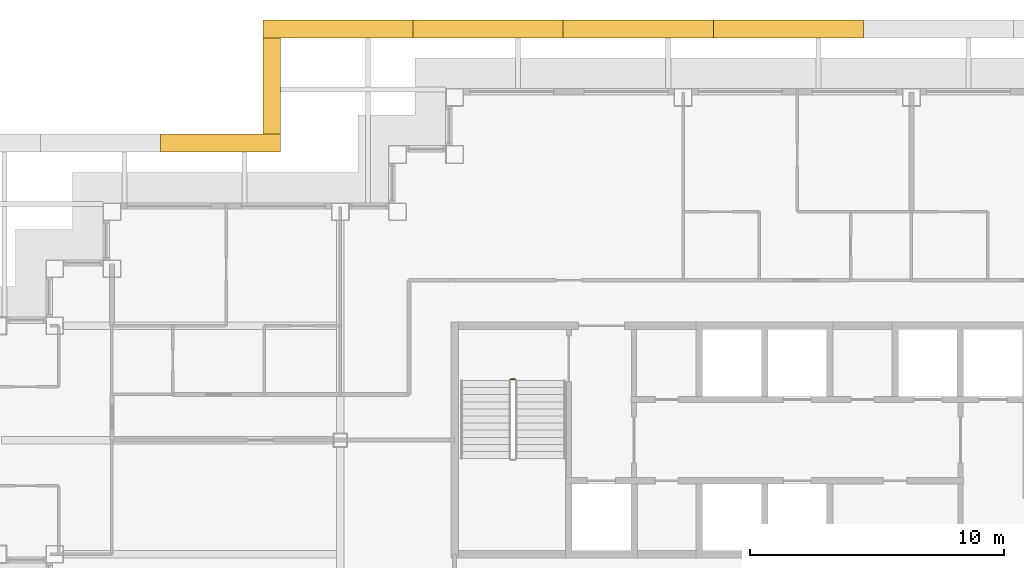
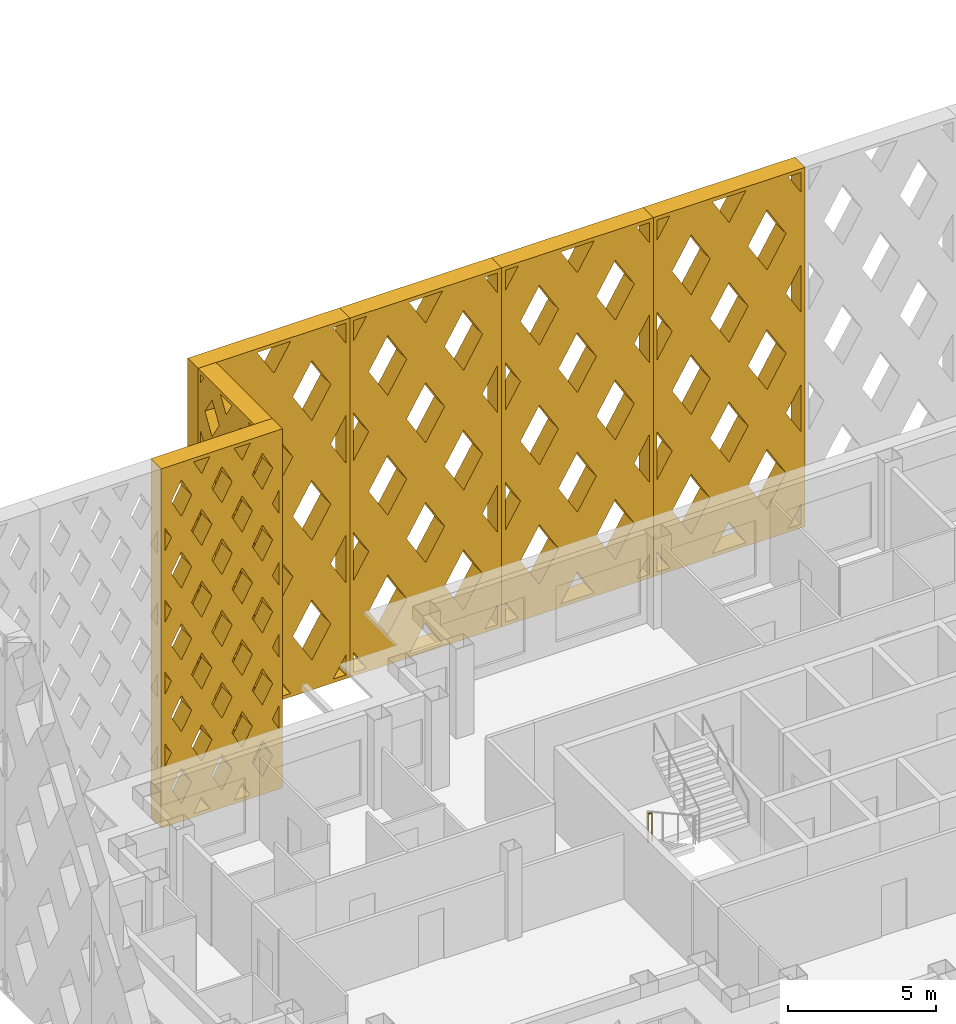
# One storey, part 16 of 17: 6 shading devices, 1 railing.
"""IFC4 building model written with IfcOpenShell, lengths in metres."""

import ifcopenshell
import ifcopenshell.guid

model = None  # the IFC model being written
_history = None  # IfcOwnerHistory: only IFC2X3 demands one
_inside = {}  # id of a spatial element -> (the spatial element, [elements in it])
_under = {}  # id of a project, library or spatial element -> (it, [spatial elements below it])
_declared = {}  # id of a project -> (the project, [libraries it declares])
_typed = {}  # id of a type object -> (the type object, [elements of that type])
_made_of = {}  # id of a material, layer set ... -> (it, [elements and type objects made of it])


def new_model(schema):
    """Start an empty IFC model of exactly this schema.

    Asked for "IFC4X3", IfcOpenShell would pick the latest addendum, in which some entities
    have other attributes; the version numbers below select the first issue.
    IFC2X3 requires an IfcOwnerHistory on every rooted entity: one is made here for all.
    """
    global model, _history
    if schema == "IFC4X3":
        model = ifcopenshell.file(schema_version=(4, 3, 0, 0))
    else:
        model = ifcopenshell.file(schema=schema)
    _inside.clear()
    _under.clear()
    _declared.clear()
    _typed.clear()
    _made_of.clear()
    _history = None
    if model.schema == "IFC2X3":
        org = make("IfcOrganization", Name="unknown")
        user = make(
            "IfcPersonAndOrganization",
            ThePerson=make("IfcPerson", FamilyName="unknown"),
            TheOrganization=org,
        )
        app = make(
            "IfcApplication",
            ApplicationDeveloper=org,
            Version="unknown",
            ApplicationFullName="unknown",
            ApplicationIdentifier="unknown",
        )
        _history = make(
            "IfcOwnerHistory",
            OwningUser=user,
            OwningApplication=app,
            ChangeAction="ADDED",
            CreationDate=0,
        )
    return model


def make(cls, **values):
    """One entity of the class cls with the attributes given. An attribute that is None is left unset."""
    return model.create_entity(
        cls, **{name: value for name, value in values.items() if value is not None}
    )


def rooted(cls, **values):
    """An entity with a GlobalId (a new one), such as an element, a storey or a relation."""
    return make(cls, GlobalId=ifcopenshell.guid.new(), OwnerHistory=_history, **values)


def si_unit(unit_type, name, prefix=None):
    """IfcSIUnit, for example si_unit("LENGTHUNIT", "METRE", prefix="MILLI")."""
    return make("IfcSIUnit", UnitType=unit_type, Prefix=prefix, Name=name)


def assignment(units):
    """IfcUnitAssignment: the units of a project."""
    return None if units is None else make("IfcUnitAssignment", Units=units)


def point(xyz):
    """IfcCartesianPoint."""
    return None if xyz is None else make("IfcCartesianPoint", Coordinates=xyz)


def direction(xyz):
    """IfcDirection."""
    return None if xyz is None else make("IfcDirection", DirectionRatios=xyz)


def frame(location, z_axis=None, x_axis=None):
    """IfcAxis2Placement3D, a coordinate frame: its origin and axes. An axis left out is left unset."""
    return make(
        "IfcAxis2Placement3D",
        Location=point(location),
        Axis=direction(z_axis),
        RefDirection=direction(x_axis),
    )


def frame_2d(location, x_axis=None):
    """IfcAxis2Placement2D, a coordinate frame in the plane: its origin and x axis."""
    return make(
        "IfcAxis2Placement2D", Location=point(location), RefDirection=direction(x_axis)
    )


def origin():
    """The frame at (0, 0, 0) with its axes left unset."""
    return frame((0.0, 0.0, 0.0))


def origin_2d():
    """The frame at (0, 0) in the plane with its x axis left unset."""
    return frame_2d((0.0, 0.0))


def place(relative_to, where):
    """IfcLocalPlacement: puts the frame where relative to a parent placement (None: the world)."""
    return make(
        "IfcLocalPlacement", PlacementRelTo=relative_to, RelativePlacement=where
    )


def context(
    kind, dimensions, precision=None, world=None, true_north=None, identifier=None
):
    """IfcGeometricRepresentationContext, for example the 3D "Model" context."""
    return make(
        "IfcGeometricRepresentationContext",
        ContextIdentifier=identifier,
        ContextType=kind,
        CoordinateSpaceDimension=dimensions,
        Precision=precision,
        WorldCoordinateSystem=world,
        TrueNorth=true_north,
    )


def subcontext(parent, identifier, kind, view, scale=None):
    """IfcGeometricRepresentationSubContext, for example "Body" below "Model"."""
    return make(
        "IfcGeometricRepresentationSubContext",
        ContextIdentifier=identifier,
        ContextType=kind,
        ParentContext=parent,
        TargetScale=scale,
        TargetView=view,
    )


def project(units=None, contexts=None):
    """IfcProject with its units and contexts."""
    return rooted(
        "IfcProject",
        Name="project",
        RepresentationContexts=contexts,
        UnitsInContext=assignment(units),
    )


def spatial(cls, under=None, at=None, **own):
    """A site, building, storey or space (cls), placed at a placement, below another one or the project."""
    s = rooted(cls, ObjectPlacement=at, **own)
    if under is not None:
        _under.setdefault(under.id(), (under, []))[1].append(s)
    return s


def polyline(points):
    """IfcPolyline through the points."""
    return make("IfcPolyline", Points=[point(p) for p in points])


def profile(cls, at=None, kind="AREA", **sizes):
    """A parametric profile (cls). Its sizes go by their IFC names, for example OverallWidth=200.0."""
    return make(cls, ProfileType=kind, Position=at, **sizes)


def circle(**sizes):
    """IfcCircleProfileDef."""
    return profile("IfcCircleProfileDef", **sizes)


def outline(outer, holes=None, kind="AREA"):
    """IfcArbitraryClosedProfileDef: a profile drawn as a closed curve; with holes, ...WithVoids."""
    if holes is None:
        return make("IfcArbitraryClosedProfileDef", ProfileType=kind, OuterCurve=outer)
    return make(
        "IfcArbitraryProfileDefWithVoids",
        ProfileType=kind,
        OuterCurve=outer,
        InnerCurves=holes,
    )


def extrude(swept, where, along, depth):
    """IfcExtrudedAreaSolid: the profile swept, set in the frame where, extruded along a direction by depth."""
    return make(
        "IfcExtrudedAreaSolid",
        SweptArea=swept,
        Position=where,
        ExtrudedDirection=direction(along),
        Depth=depth,
    )


def shape(context_of_items, identifier, shape_type, items):
    """IfcShapeRepresentation: the items that make up one representation, for example the "Body"."""
    return make(
        "IfcShapeRepresentation",
        ContextOfItems=context_of_items,
        RepresentationIdentifier=identifier,
        RepresentationType=shape_type,
        Items=items,
    )


def material(Name=None, Category=None):
    """IfcMaterial."""
    return make("IfcMaterial", Name=Name, Category=Category)


def made_of(thing, what):
    """Note that an element or type object is made of a material, layer set ...; save() writes the relation."""
    if what is not None:
        _made_of.setdefault(what.id(), (what, []))[1].append(thing)
    return thing


def type_object(cls, material=None, **own):
    """A type object (cls), such as IfcWallType, which elements share."""
    return made_of(rooted(cls, **own), material)


def element(
    cls,
    number,
    at=None,
    inside=None,
    cuts=None,
    type_object=None,
    material=None,
    context=None,
    identifier="Body",
    shape_type=None,
    held_by="IfcProductDefinitionShape",
    body=None,
    shapes=None,
    **own,
):
    """One element of the class cls, such as IfcWall. Its Tag is "e" and its number.

    at: its placement. inside: the storey or other place that contains it. cuts: it is an
    opening in that element (IfcRelVoidsElement). A single representation is given by context,
    identifier, shape_type and body (its items); several are given by shapes. held_by: the class
    of the entity that holds the representations. save() writes the other relations.
    """
    e = rooted(cls, Tag="e%d" % number, ObjectPlacement=at, **own)
    if body is not None:
        shapes = [shape(context, identifier, shape_type, body)]
    if shapes is not None:
        e.Representation = make(held_by, Representations=shapes)
    if inside is not None:
        _inside.setdefault(inside.id(), (inside, []))[1].append(e)
    if cuts is not None:
        rooted(
            "IfcRelVoidsElement", RelatingBuildingElement=cuts, RelatedOpeningElement=e
        )
    if type_object is not None:
        _typed.setdefault(type_object.id(), (type_object, []))[1].append(e)
    return made_of(e, material)


def aggregate(whole, parts):
    """IfcRelAggregates: a whole, such as a stair, and the parts it consists of."""
    return rooted("IfcRelAggregates", RelatingObject=whole, RelatedObjects=parts)


def save(model, path):
    """Write the relations noted so far, then the file.

    IfcRelAggregates (storeys below a building ...), IfcRelContainedInSpatialStructure (elements
    in a storey), IfcRelDefinesByType, IfcRelAssociatesMaterial and IfcRelDeclares: one each for
    every whole, place, type object, material and project.
    """
    for whole, parts in _under.values():
        aggregate(whole, parts)
    for where, things in _inside.values():
        rooted(
            "IfcRelContainedInSpatialStructure",
            RelatedElements=things,
            RelatingStructure=where,
        )
    for kind, things in _typed.values():
        rooted("IfcRelDefinesByType", RelatedObjects=things, RelatingType=kind)
    for what, things in _made_of.values():
        rooted("IfcRelAssociatesMaterial", RelatedObjects=things, RelatingMaterial=what)
    for by, libraries in _declared.values():
        rooted("IfcRelDeclares", RelatingContext=by, RelatedDefinitions=libraries)
    model.write(path)


model = new_model("IFC4")

# Units and contexts
model_context = context("Model", 3, precision=1e-05, world=origin(), true_north=direction((0.0, 1.0)))
body_context = subcontext(model_context, "Body", "Model", "MODEL_VIEW")
ifc_project = project(units=[si_unit("LENGTHUNIT", "METRE"), si_unit("AREAUNIT", "SQUARE_METRE"), si_unit("VOLUMEUNIT", "CUBIC_METRE"), si_unit("PLANEANGLEUNIT", "RADIAN"), si_unit("MASSUNIT", "GRAM", prefix="KILO")], contexts=[model_context])

# Site, building, storey
site_placement = place(None, origin())
site = spatial("IfcSite", under=ifc_project, at=site_placement, CompositionType="ELEMENT")
building_placement = place(site_placement, origin())
building = spatial("IfcBuilding", under=site, at=building_placement, Name="Caravel Reach Hotel and Residences", CompositionType="ELEMENT")
storey_placement = place(building_placement, frame((0.0, 0.0, 192.39990234375)))
storey = spatial("IfcBuildingStorey", under=building, at=storey_placement, Name="L48", CompositionType="ELEMENT", Elevation=192.39990234375)

# Shading devices
ifc_material_1 = material(Name="Black powder-coated aluminium", Category="aluminium")
shading_device_type_1 = type_object("IfcShadingDeviceType", Name="Diamond lattice screen panel 3800 x 14800", PredefinedType="USERDEFINED", material=ifc_material_1)
shading_device_1_placement = place(storey_placement, frame((11.14990234375, 42.85009765625, 0.0), z_axis=(-1.0, 0.0, 0.0), x_axis=(0.0, -1.0, 0.0)))
element("IfcShadingDevice", 1, at=shading_device_1_placement, inside=storey, type_object=shading_device_type_1, Name="Lattice screen L48-L51 5.1", ObjectType="SCREEN", PredefinedType="USERDEFINED", context=body_context, shape_type="SweptSolid", body=[
    extrude(outline(polyline([(0.0, 0.0), (3.800048828125, 0.0), (3.800048828125, 14.800048828125), (0.0, 14.800048828125), (0.0, 0.0)]), holes=[polyline([(0.389892578125, 0.14990234375), (0.14990234375, 0.523681640625), (0.14990234375, 0.14990234375), (0.389892578125, 0.14990234375)]), polyline([(0.486083984375, 2.9599609375), (0.14990234375, 3.483642578125), (0.14990234375, 2.436279296875), (0.486083984375, 2.9599609375)]), polyline([(0.486083984375, 5.919921875), (0.14990234375, 6.44384765625), (0.14990234375, 5.396240234375), (0.486083984375, 5.919921875)]), polyline([(0.486083984375, 8.8798828125), (0.14990234375, 9.40380859375), (0.14990234375, 8.356201171875), (0.486083984375, 8.8798828125)]), polyline([(0.486083984375, 11.840087890625), (0.14990234375, 12.36376953125), (0.14990234375, 11.316162109375), (0.486083984375, 11.840087890625)]), polyline([(0.14990234375, 14.2763671875), (0.389892578125, 14.64990234375), (0.14990234375, 14.64990234375), (0.14990234375, 14.2763671875)]), polyline([(0.949951171875, 2.237548828125), (0.4638671875, 1.47998046875), (0.949951171875, 0.72265625), (1.436279296875, 1.47998046875), (0.949951171875, 2.237548828125)]), polyline([(0.949951171875, 5.197509765625), (0.4638671875, 4.43994140625), (0.949951171875, 3.6826171875), (1.436279296875, 4.43994140625), (0.949951171875, 5.197509765625)]), polyline([(0.949951171875, 8.157470703125), (0.4638671875, 7.39990234375), (0.949951171875, 6.642578125), (1.436279296875, 7.39990234375), (0.949951171875, 8.157470703125)]), polyline([(0.949951171875, 11.117431640625), (0.4638671875, 10.360107421875), (0.949951171875, 9.6025390625), (1.436279296875, 10.360107421875), (0.949951171875, 11.117431640625)]), polyline([(0.949951171875, 14.077392578125), (0.4638671875, 13.320068359375), (0.949951171875, 12.5625), (1.436279296875, 13.320068359375), (0.949951171875, 14.077392578125)]), polyline([(1.89990234375, 0.75732421875), (1.510009765625, 0.14990234375), (2.289794921875, 0.14990234375), (1.89990234375, 0.75732421875)]), polyline([(1.89990234375, 3.717529296875), (1.413818359375, 2.9599609375), (1.89990234375, 2.20263671875), (2.38623046875, 2.9599609375), (1.89990234375, 3.717529296875)]), polyline([(1.89990234375, 6.677490234375), (1.413818359375, 5.919921875), (1.89990234375, 5.16259765625), (2.38623046875, 5.919921875), (1.89990234375, 6.677490234375)]), polyline([(1.89990234375, 9.637451171875), (1.413818359375, 8.8798828125), (1.89990234375, 8.12255859375), (2.38623046875, 8.8798828125), (1.89990234375, 9.637451171875)]), polyline([(1.89990234375, 12.597412109375), (1.413818359375, 11.840087890625), (1.89990234375, 11.08251953125), (2.38623046875, 11.840087890625), (1.89990234375, 12.597412109375)]), polyline([(1.89990234375, 14.04248046875), (2.289794921875, 14.64990234375), (1.510009765625, 14.64990234375), (1.89990234375, 14.04248046875)]), polyline([(2.85009765625, 2.237548828125), (2.36376953125, 1.47998046875), (2.85009765625, 0.72265625), (3.336181640625, 1.47998046875), (2.85009765625, 2.237548828125)]), polyline([(2.85009765625, 5.197509765625), (2.36376953125, 4.43994140625), (2.85009765625, 3.6826171875), (3.336181640625, 4.43994140625), (2.85009765625, 5.197509765625)]), polyline([(2.85009765625, 8.157470703125), (2.36376953125, 7.39990234375), (2.85009765625, 6.642578125), (3.336181640625, 7.39990234375), (2.85009765625, 8.157470703125)]), polyline([(2.85009765625, 11.117431640625), (2.36376953125, 10.360107421875), (2.85009765625, 9.6025390625), (3.336181640625, 10.360107421875), (2.85009765625, 11.117431640625)]), polyline([(2.85009765625, 14.077392578125), (2.36376953125, 13.320068359375), (2.85009765625, 12.5625), (3.336181640625, 13.320068359375), (2.85009765625, 14.077392578125)]), polyline([(3.64990234375, 0.523681640625), (3.41015625, 0.14990234375), (3.64990234375, 0.14990234375), (3.64990234375, 0.523681640625)]), polyline([(3.313720703125, 2.9599609375), (3.64990234375, 2.436279296875), (3.64990234375, 3.483642578125), (3.313720703125, 2.9599609375)]), polyline([(3.313720703125, 5.919921875), (3.64990234375, 5.396240234375), (3.64990234375, 6.44384765625), (3.313720703125, 5.919921875)]), polyline([(3.313720703125, 8.8798828125), (3.64990234375, 8.356201171875), (3.64990234375, 9.40380859375), (3.313720703125, 8.8798828125)]), polyline([(3.313720703125, 11.840087890625), (3.64990234375, 11.316162109375), (3.64990234375, 12.36376953125), (3.313720703125, 11.840087890625)]), polyline([(3.41015625, 14.64990234375), (3.64990234375, 14.2763671875), (3.64990234375, 14.64990234375), (3.41015625, 14.64990234375)])]), origin(), (0.0, 0.0, 1.0), 0.699951171875),
])
ifc_material_2 = material(Name="Black powder-coated aluminium", Category="aluminium")
shading_device_type_2 = type_object("IfcShadingDeviceType", Name="Diamond lattice screen panel 4733 x 14800", PredefinedType="USERDEFINED", material=ifc_material_2)
shading_device_2_placement = place(storey_placement, frame((11.14990234375, 38.35009765625, 0.0), z_axis=(0.0, 1.0, 0.0), x_axis=(-1.0, 0.0, 0.0)))
element("IfcShadingDevice", 2, at=shading_device_2_placement, inside=storey, type_object=shading_device_type_2, Name="Lattice screen L48-L51 6.1", ObjectType="SCREEN", PredefinedType="USERDEFINED", context=body_context, shape_type="SweptSolid", body=[
    extrude(outline(polyline([(0.0, 0.0), (4.7333984375, 0.0), (4.7333984375, 14.800048828125), (0.0, 14.800048828125), (0.0, 0.0)]), holes=[polyline([(0.398681640625, 2.9599609375), (0.14990234375, 3.4267578125), (0.14990234375, 2.493408203125), (0.398681640625, 2.9599609375)]), polyline([(0.398681640625, 5.919921875), (0.14990234375, 6.38671875), (0.14990234375, 5.453369140625), (0.398681640625, 5.919921875)]), polyline([(0.398681640625, 8.8798828125), (0.14990234375, 9.3466796875), (0.14990234375, 8.413330078125), (0.398681640625, 8.8798828125)]), polyline([(0.398681640625, 11.840087890625), (0.14990234375, 12.306640625), (0.14990234375, 11.373291015625), (0.398681640625, 11.840087890625)]), polyline([(0.788818359375, 2.22802734375), (0.39013671875, 1.47998046875), (0.788818359375, 0.73193359375), (1.187744140625, 1.47998046875), (0.788818359375, 2.22802734375)]), polyline([(0.788818359375, 5.18798828125), (0.39013671875, 4.43994140625), (0.788818359375, 3.69189453125), (1.187744140625, 4.43994140625), (0.788818359375, 5.18798828125)]), polyline([(0.788818359375, 8.14794921875), (0.39013671875, 7.39990234375), (0.788818359375, 6.65185546875), (1.187744140625, 7.39990234375), (0.788818359375, 8.14794921875)]), polyline([(0.788818359375, 11.108154296875), (0.39013671875, 10.360107421875), (0.788818359375, 9.612060546875), (1.187744140625, 10.360107421875), (0.788818359375, 11.108154296875)]), polyline([(0.788818359375, 14.068115234375), (0.39013671875, 13.320068359375), (0.788818359375, 12.572021484375), (1.187744140625, 13.320068359375), (0.788818359375, 14.068115234375)]), polyline([(1.577880859375, 0.748046875), (1.259033203125, 0.14990234375), (1.896484375, 0.14990234375), (1.577880859375, 0.748046875)]), polyline([(1.577880859375, 3.7080078125), (1.178955078125, 2.9599609375), (1.577880859375, 2.2119140625), (1.9765625, 2.9599609375), (1.577880859375, 3.7080078125)]), polyline([(1.577880859375, 6.66796875), (1.178955078125, 5.919921875), (1.577880859375, 5.171875), (1.9765625, 5.919921875), (1.577880859375, 6.66796875)]), polyline([(1.577880859375, 9.6279296875), (1.178955078125, 8.8798828125), (1.577880859375, 8.1318359375), (1.9765625, 8.8798828125), (1.577880859375, 9.6279296875)]), polyline([(1.577880859375, 12.588134765625), (1.178955078125, 11.840087890625), (1.577880859375, 11.092041015625), (1.9765625, 11.840087890625), (1.577880859375, 12.588134765625)]), polyline([(1.577880859375, 14.052001953125), (1.896484375, 14.64990234375), (1.259033203125, 14.64990234375), (1.577880859375, 14.052001953125)]), polyline([(2.36669921875, 2.22802734375), (1.968017578125, 1.47998046875), (2.36669921875, 0.73193359375), (2.765380859375, 1.47998046875), (2.36669921875, 2.22802734375)]), polyline([(2.36669921875, 5.18798828125), (1.968017578125, 4.43994140625), (2.36669921875, 3.69189453125), (2.765380859375, 4.43994140625), (2.36669921875, 5.18798828125)]), polyline([(2.36669921875, 8.14794921875), (1.968017578125, 7.39990234375), (2.36669921875, 6.65185546875), (2.765380859375, 7.39990234375), (2.36669921875, 8.14794921875)]), polyline([(2.36669921875, 11.108154296875), (1.968017578125, 10.360107421875), (2.36669921875, 9.612060546875), (2.765380859375, 10.360107421875), (2.36669921875, 11.108154296875)]), polyline([(2.36669921875, 14.068115234375), (1.968017578125, 13.320068359375), (2.36669921875, 12.572021484375), (2.765380859375, 13.320068359375), (2.36669921875, 14.068115234375)]), polyline([(3.155517578125, 0.748046875), (2.836669921875, 0.14990234375), (3.474365234375, 0.14990234375), (3.155517578125, 0.748046875)]), polyline([(3.155517578125, 3.7080078125), (2.7568359375, 2.9599609375), (3.155517578125, 2.2119140625), (3.55419921875, 2.9599609375), (3.155517578125, 3.7080078125)]), polyline([(3.155517578125, 6.66796875), (2.7568359375, 5.919921875), (3.155517578125, 5.171875), (3.55419921875, 5.919921875), (3.155517578125, 6.66796875)]), polyline([(3.155517578125, 9.6279296875), (2.7568359375, 8.8798828125), (3.155517578125, 8.1318359375), (3.55419921875, 8.8798828125), (3.155517578125, 9.6279296875)]), polyline([(3.155517578125, 12.588134765625), (2.7568359375, 11.840087890625), (3.155517578125, 11.092041015625), (3.55419921875, 11.840087890625), (3.155517578125, 12.588134765625)]), polyline([(3.155517578125, 14.052001953125), (3.474365234375, 14.64990234375), (2.836669921875, 14.64990234375), (3.155517578125, 14.052001953125)]), polyline([(3.9443359375, 2.22802734375), (3.545654296875, 1.47998046875), (3.9443359375, 0.73193359375), (4.34326171875, 1.47998046875), (3.9443359375, 2.22802734375)]), polyline([(3.9443359375, 5.18798828125), (3.545654296875, 4.43994140625), (3.9443359375, 3.69189453125), (4.34326171875, 4.43994140625), (3.9443359375, 5.18798828125)]), polyline([(3.9443359375, 8.14794921875), (3.545654296875, 7.39990234375), (3.9443359375, 6.65185546875), (4.34326171875, 7.39990234375), (3.9443359375, 8.14794921875)]), polyline([(3.9443359375, 11.108154296875), (3.545654296875, 10.360107421875), (3.9443359375, 9.612060546875), (4.34326171875, 10.360107421875), (3.9443359375, 11.108154296875)]), polyline([(3.9443359375, 14.068115234375), (3.545654296875, 13.320068359375), (3.9443359375, 12.572021484375), (4.34326171875, 13.320068359375), (3.9443359375, 14.068115234375)]), polyline([(4.334716796875, 2.9599609375), (4.583251953125, 2.493408203125), (4.583251953125, 3.4267578125), (4.334716796875, 2.9599609375)]), polyline([(4.334716796875, 5.919921875), (4.583251953125, 5.453369140625), (4.583251953125, 6.38671875), (4.334716796875, 5.919921875)]), polyline([(4.334716796875, 8.8798828125), (4.583251953125, 8.413330078125), (4.583251953125, 9.3466796875), (4.334716796875, 8.8798828125)]), polyline([(4.334716796875, 11.840087890625), (4.583251953125, 11.373291015625), (4.583251953125, 12.306640625), (4.334716796875, 11.840087890625)])]), origin(), (0.0, 0.0, 1.0), 0.699951171875),
])
ifc_material_3 = material(Name="Black powder-coated aluminium", Category="aluminium")
shading_device_type_3 = type_object("IfcShadingDeviceType", Name="Diamond lattice screen panel 5914 x 14800", PredefinedType="USERDEFINED", material=ifc_material_3)
shading_device_3_placement = place(storey_placement, frame((34.107177734375, 42.85009765625, 0.0), z_axis=(0.0, 1.0, 0.0), x_axis=(-1.0, 0.0, 0.0)))
element("IfcShadingDevice", 3, at=shading_device_3_placement, inside=storey, type_object=shading_device_type_3, Name="Lattice screen L48-L51 4.4", ObjectType="SCREEN", PredefinedType="USERDEFINED", context=body_context, shape_type="SweptSolid", body=[
    extrude(outline(polyline([(0.0, 0.0), (5.914306640625, 0.0), (5.914306640625, 14.800048828125), (0.0, 14.800048828125), (0.0, 0.0)]), holes=[polyline([(0.6513671875, 0.14990234375), (0.14990234375, 0.986572265625), (0.14990234375, 0.14990234375), (0.6513671875, 0.14990234375)]), polyline([(0.7412109375, 4.933349609375), (0.14990234375, 5.919921875), (0.14990234375, 3.94677734375), (0.7412109375, 4.933349609375)]), polyline([(0.7412109375, 9.86669921875), (0.14990234375, 10.853271484375), (0.14990234375, 8.880126953125), (0.7412109375, 9.86669921875)]), polyline([(0.14990234375, 13.8134765625), (0.6513671875, 14.64990234375), (0.14990234375, 14.64990234375), (0.14990234375, 13.8134765625)]), polyline([(1.478515625, 3.703369140625), (0.7373046875, 2.466552734375), (1.478515625, 1.22998046875), (2.219970703125, 2.466552734375), (1.478515625, 3.703369140625)]), polyline([(1.478515625, 8.63671875), (0.7373046875, 7.39990234375), (1.478515625, 6.163330078125), (2.219970703125, 7.39990234375), (1.478515625, 8.63671875)]), polyline([(1.478515625, 13.570068359375), (0.7373046875, 12.333251953125), (1.478515625, 11.0966796875), (2.219970703125, 12.333251953125), (1.478515625, 13.570068359375)]), polyline([(2.95703125, 1.23681640625), (2.3056640625, 0.14990234375), (3.608642578125, 0.14990234375), (2.95703125, 1.23681640625)]), polyline([(2.95703125, 6.170166015625), (2.2158203125, 4.933349609375), (2.95703125, 3.696533203125), (3.698486328125, 4.933349609375), (2.95703125, 6.170166015625)]), polyline([(2.95703125, 11.103515625), (2.2158203125, 9.86669921875), (2.95703125, 8.6298828125), (3.698486328125, 9.86669921875), (2.95703125, 11.103515625)]), polyline([(2.95703125, 13.563232421875), (3.608642578125, 14.64990234375), (2.3056640625, 14.64990234375), (2.95703125, 13.563232421875)]), polyline([(4.435791015625, 3.703369140625), (3.6943359375, 2.466552734375), (4.435791015625, 1.22998046875), (5.177001953125, 2.466552734375), (4.435791015625, 3.703369140625)]), polyline([(4.435791015625, 8.63671875), (3.6943359375, 7.39990234375), (4.435791015625, 6.163330078125), (5.177001953125, 7.39990234375), (4.435791015625, 8.63671875)]), polyline([(4.435791015625, 13.570068359375), (3.6943359375, 12.333251953125), (4.435791015625, 11.0966796875), (5.177001953125, 12.333251953125), (4.435791015625, 13.570068359375)]), polyline([(5.764404296875, 0.986572265625), (5.262939453125, 0.14990234375), (5.764404296875, 0.14990234375), (5.764404296875, 0.986572265625)]), polyline([(5.1728515625, 4.933349609375), (5.764404296875, 3.94677734375), (5.764404296875, 5.919921875), (5.1728515625, 4.933349609375)]), polyline([(5.1728515625, 9.86669921875), (5.764404296875, 8.880126953125), (5.764404296875, 10.853271484375), (5.1728515625, 9.86669921875)]), polyline([(5.262939453125, 14.64990234375), (5.764404296875, 13.8134765625), (5.764404296875, 14.64990234375), (5.262939453125, 14.64990234375)])]), origin(), (0.0, 0.0, 1.0), 0.699951171875),
])
shading_device_4_placement = place(storey_placement, frame((28.19287109375, 42.85009765625, 0.0), z_axis=(0.0, 1.0, 0.0), x_axis=(-1.0, 0.0, 0.0)))
element("IfcShadingDevice", 4, at=shading_device_4_placement, inside=storey, type_object=shading_device_type_3, Name="Lattice screen L48-L51 4.5", ObjectType="SCREEN", PredefinedType="USERDEFINED", context=body_context, shape_type="SweptSolid", body=[
    extrude(outline(polyline([(0.0, 0.0), (5.914306640625, 0.0), (5.914306640625, 14.800048828125), (0.0, 14.800048828125), (0.0, 0.0)]), holes=[polyline([(0.6513671875, 0.14990234375), (0.14990234375, 0.986572265625), (0.14990234375, 0.14990234375), (0.6513671875, 0.14990234375)]), polyline([(0.7412109375, 4.933349609375), (0.14990234375, 5.919921875), (0.14990234375, 3.94677734375), (0.7412109375, 4.933349609375)]), polyline([(0.7412109375, 9.86669921875), (0.14990234375, 10.853271484375), (0.14990234375, 8.880126953125), (0.7412109375, 9.86669921875)]), polyline([(0.14990234375, 13.8134765625), (0.6513671875, 14.64990234375), (0.14990234375, 14.64990234375), (0.14990234375, 13.8134765625)]), polyline([(1.478515625, 3.703369140625), (0.7373046875, 2.466552734375), (1.478515625, 1.22998046875), (2.219970703125, 2.466552734375), (1.478515625, 3.703369140625)]), polyline([(1.478515625, 8.63671875), (0.7373046875, 7.39990234375), (1.478515625, 6.163330078125), (2.219970703125, 7.39990234375), (1.478515625, 8.63671875)]), polyline([(1.478515625, 13.570068359375), (0.7373046875, 12.333251953125), (1.478515625, 11.0966796875), (2.219970703125, 12.333251953125), (1.478515625, 13.570068359375)]), polyline([(2.95703125, 1.23681640625), (2.3056640625, 0.14990234375), (3.608642578125, 0.14990234375), (2.95703125, 1.23681640625)]), polyline([(2.95703125, 6.170166015625), (2.2158203125, 4.933349609375), (2.95703125, 3.696533203125), (3.698486328125, 4.933349609375), (2.95703125, 6.170166015625)]), polyline([(2.95703125, 11.103515625), (2.2158203125, 9.86669921875), (2.95703125, 8.6298828125), (3.698486328125, 9.86669921875), (2.95703125, 11.103515625)]), polyline([(2.95703125, 13.563232421875), (3.608642578125, 14.64990234375), (2.3056640625, 14.64990234375), (2.95703125, 13.563232421875)]), polyline([(4.435791015625, 3.703369140625), (3.6943359375, 2.466552734375), (4.435791015625, 1.22998046875), (5.177001953125, 2.466552734375), (4.435791015625, 3.703369140625)]), polyline([(4.435791015625, 8.63671875), (3.6943359375, 7.39990234375), (4.435791015625, 6.163330078125), (5.177001953125, 7.39990234375), (4.435791015625, 8.63671875)]), polyline([(4.435791015625, 13.570068359375), (3.6943359375, 12.333251953125), (4.435791015625, 11.0966796875), (5.177001953125, 12.333251953125), (4.435791015625, 13.570068359375)]), polyline([(5.764404296875, 0.986572265625), (5.262939453125, 0.14990234375), (5.764404296875, 0.14990234375), (5.764404296875, 0.986572265625)]), polyline([(5.1728515625, 4.933349609375), (5.764404296875, 3.94677734375), (5.764404296875, 5.919921875), (5.1728515625, 4.933349609375)]), polyline([(5.1728515625, 9.86669921875), (5.764404296875, 8.880126953125), (5.764404296875, 10.853271484375), (5.1728515625, 9.86669921875)]), polyline([(5.262939453125, 14.64990234375), (5.764404296875, 13.8134765625), (5.764404296875, 14.64990234375), (5.262939453125, 14.64990234375)])]), origin(), (0.0, 0.0, 1.0), 0.699951171875),
])
shading_device_5_placement = place(storey_placement, frame((22.278564453125, 42.85009765625, 0.0), z_axis=(0.0, 1.0, 0.0), x_axis=(-1.0, 0.0, 0.0)))
element("IfcShadingDevice", 5, at=shading_device_5_placement, inside=storey, type_object=shading_device_type_3, Name="Lattice screen L48-L51 4.6", ObjectType="SCREEN", PredefinedType="USERDEFINED", context=body_context, shape_type="SweptSolid", body=[
    extrude(outline(polyline([(0.0, 0.0), (5.914306640625, 0.0), (5.914306640625, 14.800048828125), (0.0, 14.800048828125), (0.0, 0.0)]), holes=[polyline([(0.6513671875, 0.14990234375), (0.14990234375, 0.986572265625), (0.14990234375, 0.14990234375), (0.6513671875, 0.14990234375)]), polyline([(0.7412109375, 4.933349609375), (0.14990234375, 5.919921875), (0.14990234375, 3.94677734375), (0.7412109375, 4.933349609375)]), polyline([(0.7412109375, 9.86669921875), (0.14990234375, 10.853271484375), (0.14990234375, 8.880126953125), (0.7412109375, 9.86669921875)]), polyline([(0.14990234375, 13.8134765625), (0.6513671875, 14.64990234375), (0.14990234375, 14.64990234375), (0.14990234375, 13.8134765625)]), polyline([(1.478515625, 3.703369140625), (0.7373046875, 2.466552734375), (1.478515625, 1.22998046875), (2.219970703125, 2.466552734375), (1.478515625, 3.703369140625)]), polyline([(1.478515625, 8.63671875), (0.7373046875, 7.39990234375), (1.478515625, 6.163330078125), (2.219970703125, 7.39990234375), (1.478515625, 8.63671875)]), polyline([(1.478515625, 13.570068359375), (0.7373046875, 12.333251953125), (1.478515625, 11.0966796875), (2.219970703125, 12.333251953125), (1.478515625, 13.570068359375)]), polyline([(2.95703125, 1.23681640625), (2.3056640625, 0.14990234375), (3.608642578125, 0.14990234375), (2.95703125, 1.23681640625)]), polyline([(2.95703125, 6.170166015625), (2.2158203125, 4.933349609375), (2.95703125, 3.696533203125), (3.698486328125, 4.933349609375), (2.95703125, 6.170166015625)]), polyline([(2.95703125, 11.103515625), (2.2158203125, 9.86669921875), (2.95703125, 8.6298828125), (3.698486328125, 9.86669921875), (2.95703125, 11.103515625)]), polyline([(2.95703125, 13.563232421875), (3.608642578125, 14.64990234375), (2.3056640625, 14.64990234375), (2.95703125, 13.563232421875)]), polyline([(4.435791015625, 3.703369140625), (3.6943359375, 2.466552734375), (4.435791015625, 1.22998046875), (5.177001953125, 2.466552734375), (4.435791015625, 3.703369140625)]), polyline([(4.435791015625, 8.63671875), (3.6943359375, 7.39990234375), (4.435791015625, 6.163330078125), (5.177001953125, 7.39990234375), (4.435791015625, 8.63671875)]), polyline([(4.435791015625, 13.570068359375), (3.6943359375, 12.333251953125), (4.435791015625, 11.0966796875), (5.177001953125, 12.333251953125), (4.435791015625, 13.570068359375)]), polyline([(5.764404296875, 0.986572265625), (5.262939453125, 0.14990234375), (5.764404296875, 0.14990234375), (5.764404296875, 0.986572265625)]), polyline([(5.1728515625, 4.933349609375), (5.764404296875, 3.94677734375), (5.764404296875, 5.919921875), (5.1728515625, 4.933349609375)]), polyline([(5.1728515625, 9.86669921875), (5.764404296875, 8.880126953125), (5.764404296875, 10.853271484375), (5.1728515625, 9.86669921875)]), polyline([(5.262939453125, 14.64990234375), (5.764404296875, 13.8134765625), (5.764404296875, 14.64990234375), (5.262939453125, 14.64990234375)])]), origin(), (0.0, 0.0, 1.0), 0.699951171875),
])
shading_device_6_placement = place(storey_placement, frame((16.3642578125, 42.85009765625, 0.0), z_axis=(0.0, 1.0, 0.0), x_axis=(-1.0, 0.0, 0.0)))
element("IfcShadingDevice", 6, at=shading_device_6_placement, inside=storey, type_object=shading_device_type_3, Name="Lattice screen L48-L51 4.7", ObjectType="SCREEN", PredefinedType="USERDEFINED", context=body_context, shape_type="SweptSolid", body=[
    extrude(outline(polyline([(0.0, 0.0), (5.914306640625, 0.0), (5.914306640625, 14.800048828125), (0.0, 14.800048828125), (0.0, 0.0)]), holes=[polyline([(0.6513671875, 0.14990234375), (0.14990234375, 0.986572265625), (0.14990234375, 0.14990234375), (0.6513671875, 0.14990234375)]), polyline([(0.7412109375, 4.933349609375), (0.14990234375, 5.919921875), (0.14990234375, 3.94677734375), (0.7412109375, 4.933349609375)]), polyline([(0.7412109375, 9.86669921875), (0.14990234375, 10.853271484375), (0.14990234375, 8.880126953125), (0.7412109375, 9.86669921875)]), polyline([(0.14990234375, 13.8134765625), (0.6513671875, 14.64990234375), (0.14990234375, 14.64990234375), (0.14990234375, 13.8134765625)]), polyline([(1.478515625, 3.703369140625), (0.7373046875, 2.466552734375), (1.478515625, 1.22998046875), (2.219970703125, 2.466552734375), (1.478515625, 3.703369140625)]), polyline([(1.478515625, 8.63671875), (0.7373046875, 7.39990234375), (1.478515625, 6.163330078125), (2.219970703125, 7.39990234375), (1.478515625, 8.63671875)]), polyline([(1.478515625, 13.570068359375), (0.7373046875, 12.333251953125), (1.478515625, 11.0966796875), (2.219970703125, 12.333251953125), (1.478515625, 13.570068359375)]), polyline([(2.95703125, 1.23681640625), (2.3056640625, 0.14990234375), (3.608642578125, 0.14990234375), (2.95703125, 1.23681640625)]), polyline([(2.95703125, 6.170166015625), (2.2158203125, 4.933349609375), (2.95703125, 3.696533203125), (3.698486328125, 4.933349609375), (2.95703125, 6.170166015625)]), polyline([(2.95703125, 11.103515625), (2.2158203125, 9.86669921875), (2.95703125, 8.6298828125), (3.698486328125, 9.86669921875), (2.95703125, 11.103515625)]), polyline([(2.95703125, 13.563232421875), (3.608642578125, 14.64990234375), (2.3056640625, 14.64990234375), (2.95703125, 13.563232421875)]), polyline([(4.435791015625, 3.703369140625), (3.6943359375, 2.466552734375), (4.435791015625, 1.22998046875), (5.177001953125, 2.466552734375), (4.435791015625, 3.703369140625)]), polyline([(4.435791015625, 8.63671875), (3.6943359375, 7.39990234375), (4.435791015625, 6.163330078125), (5.177001953125, 7.39990234375), (4.435791015625, 8.63671875)]), polyline([(4.435791015625, 13.570068359375), (3.6943359375, 12.333251953125), (4.435791015625, 11.0966796875), (5.177001953125, 12.333251953125), (4.435791015625, 13.570068359375)]), polyline([(5.764404296875, 0.986572265625), (5.262939453125, 0.14990234375), (5.764404296875, 0.14990234375), (5.764404296875, 0.986572265625)]), polyline([(5.1728515625, 4.933349609375), (5.764404296875, 3.94677734375), (5.764404296875, 5.919921875), (5.1728515625, 4.933349609375)]), polyline([(5.1728515625, 9.86669921875), (5.764404296875, 8.880126953125), (5.764404296875, 10.853271484375), (5.1728515625, 9.86669921875)]), polyline([(5.262939453125, 14.64990234375), (5.764404296875, 13.8134765625), (5.764404296875, 14.64990234375), (5.262939453125, 14.64990234375)])]), origin(), (0.0, 0.0, 1.0), 0.699951171875),
])

# Railing
ifc_material_4 = material(Name="Steel balustrade with glass infill", Category="steel")
railing_type = type_object("IfcRailingType", Name="Guard 1200", PredefinedType="GUARDRAIL", material=ifc_material_4)
railing_placement = place(storey_placement, frame((20.22509765625, 29.39990234375, 0.0)))
element("IfcRailing", 7, at=railing_placement, inside=storey, type_object=railing_type, Name="L48 ST-A stair guard 4", PredefinedType="GUARDRAIL", context=body_context, shape_type="SweptSolid", body=[
    extrude(circle(Radius=0.02392578125, at=origin_2d()), frame((0.0, 0.0, 1.17578125), z_axis=(1.0, 0.0, 0.0), x_axis=(0.0, 1.0, 0.0)), (0.0, 0.0, 1.0), 0.14990234375),
    extrude(circle(Radius=0.02099609375, at=origin_2d()), origin(), (0.0, 0.0, 1.0), 1.15185546875),
    extrude(circle(Radius=0.02099609375, at=origin_2d()), frame((0.14990234375, 0.0, 0.0)), (0.0, 0.0, 1.0), 1.15185546875),
])

save(model, "model.ifc")
